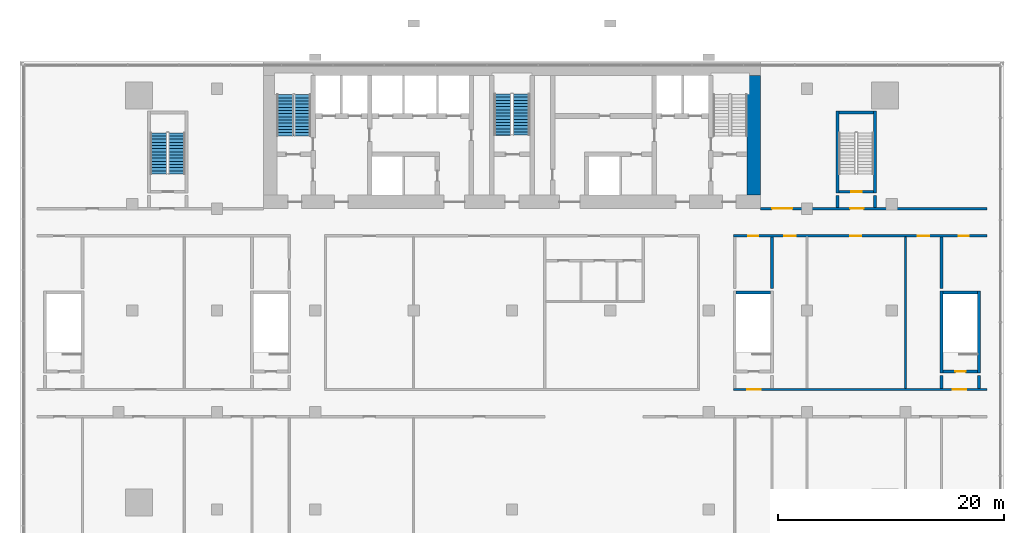
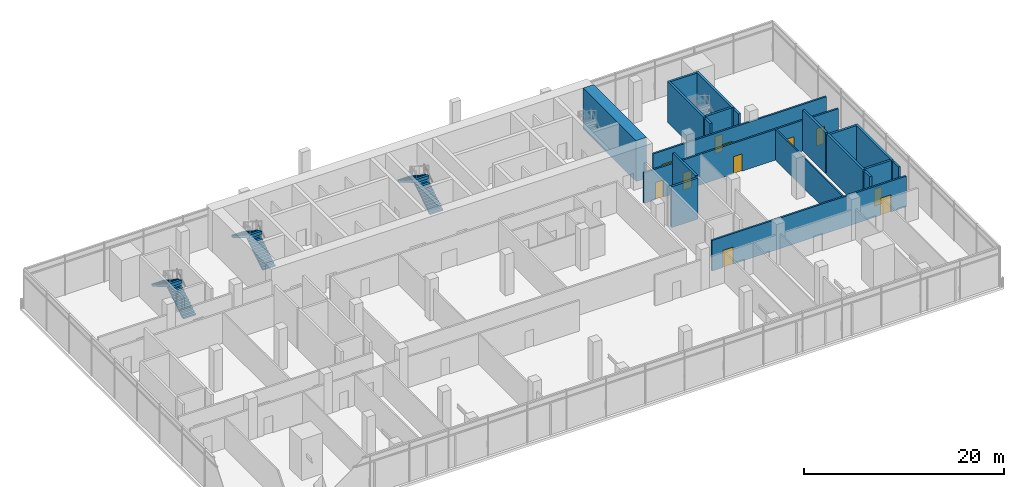
# One storey, part 14 of 17: 20 walls, 11 doors, 6 stair flights, 11 openings, 3 elements without a shape of their own.
"""IFC4 building model written with IfcOpenShell, lengths in metres."""

from ifc_helpers import new_model, si_unit, direction, frame, frame_2d, origin, place, context, subcontext, project, spatial, polyline, rectangle, outline, extrude, material, layer, layer_set, type_object, element, fill, aggregate, save


model = new_model("IFC4")

# Units and contexts
model_context = context("Model", 3, precision=1e-05, world=origin(), true_north=direction((0.0, 1.0)))
body_context = subcontext(model_context, "Body", "Model", "MODEL_VIEW")
ifc_project = project(units=[si_unit("LENGTHUNIT", "METRE"), si_unit("AREAUNIT", "SQUARE_METRE"), si_unit("VOLUMEUNIT", "CUBIC_METRE"), si_unit("PLANEANGLEUNIT", "RADIAN"), si_unit("MASSUNIT", "GRAM", prefix="KILO")], contexts=[model_context])

# Site, building, storey
site_placement = place(None, origin())
site = spatial("IfcSite", under=ifc_project, at=site_placement, CompositionType="ELEMENT")
building_placement = place(site_placement, origin())
building = spatial("IfcBuilding", under=site, at=building_placement, Name="Bicima Exchange Tower", CompositionType="ELEMENT")
storey_placement = place(building_placement, frame((0.0, 0.0, 30.0)))
storey = spatial("IfcBuildingStorey", under=building, at=storey_placement, Name="L05", CompositionType="ELEMENT", Elevation=30.0)

# Wall, openings, doors
ifc_material_1 = material(Name="Gypsum board partition")
ifc_layer_1 = layer(ifc_material_1, 0.199951171875)
ifc_layer_set_1 = layer_set([ifc_layer_1], Name="Gypsum board partition")
wall_type_1 = type_object("IfcWallType", Name="Fire-rated gypsum partition 200 EI60", PredefinedType="PARTITIONING", material=ifc_layer_set_1)
wall_1_placement = place(storey_placement, frame((19.574951171875, -29.0, 0.0), z_axis=(0.0, 0.0, 1.0), x_axis=(1.0, 0.0, 0.0)))
wall_1 = element("IfcWall", 1, at=wall_1_placement, inside=storey, type_object=wall_type_1, Name="partition wall 5", PredefinedType="PARTITIONING", context=body_context, shape_type="SweptSolid", body=[
    extrude(rectangle(XDim=22.425048828125, YDim=0.199951171875, at=frame_2d((11.21240234375, 0.0))), origin(), (0.0, 0.0, 1.0), 3.740234375),
])
opening_1_placement = place(wall_1_placement, frame((1.22509765625, 0.0, 0.0)))
opening_1 = element("IfcOpeningElement", 2, at=opening_1_placement, cuts=wall_1, Name="Opening L05-005", PredefinedType="OPENING", context=body_context, shape_type="SweptSolid", body=[
    extrude(rectangle(XDim=1.199951171875, YDim=2.10009765625, at=frame_2d((0.60009765625, 1.050048828125))), frame((0.0, 0.11181640625, 0.0), z_axis=(0.0, -1.0, 0.0), x_axis=(1.0, 0.0, 0.0)), (0.0, 0.0, 1.0), 0.223876953125),
])
opening_2_placement = place(wall_1_placement, frame((19.425048828125, 0.0, 0.0)))
opening_2 = element("IfcOpeningElement", 3, at=opening_2_placement, cuts=wall_1, Name="Opening L05-007", PredefinedType="OPENING", context=body_context, shape_type="SweptSolid", body=[
    extrude(rectangle(XDim=1.199951171875, YDim=2.10009765625, at=frame_2d((0.60009765625, 1.050048828125))), frame((0.0, 0.11181640625, 0.0), z_axis=(0.0, -1.0, 0.0), x_axis=(1.0, 0.0, 0.0)), (0.0, 0.0, 1.0), 0.223876953125),
])
ifc_material_2 = material(Name="Steel fire door leaf", Category="steel")
door_type_1 = type_object("IfcDoorType", Name="Door 1200 swing FD30S", OperationType="SINGLE_SWING_LEFT", PredefinedType="DOOR", material=ifc_material_2)
door_1_placement = place(opening_1_placement, origin())
door_1 = element("IfcDoor", 4, at=door_1_placement, inside=storey, type_object=door_type_1, Name="Door", OperationType="SINGLE_SWING_LEFT", OverallHeight=2.10009765625, OverallWidth=1.199951171875, PredefinedType="DOOR", context=body_context, shape_type="SweptSolid", body=[
    extrude(rectangle(XDim=1.199951171875, YDim=2.10009765625, at=frame_2d((0.60009765625, 1.050048828125))), frame((0.0, 0.02490234375, 0.0), z_axis=(0.0, -1.0, 0.0), x_axis=(1.0, 0.0, 0.0)), (0.0, 0.0, 1.0), 0.050048828125),
])
fill(opening_1, door_1)
door_2_placement = place(opening_2_placement, origin())
door_2 = element("IfcDoor", 5, at=door_2_placement, inside=storey, type_object=door_type_1, Name="Door", OperationType="SINGLE_SWING_LEFT", OverallHeight=2.10009765625, OverallWidth=1.199951171875, PredefinedType="DOOR", context=body_context, shape_type="SweptSolid", body=[
    extrude(rectangle(XDim=1.199951171875, YDim=2.10009765625, at=frame_2d((0.60009765625, 1.050048828125))), frame((0.0, 0.02490234375, 0.0), z_axis=(0.0, -1.0, 0.0), x_axis=(1.0, 0.0, 0.0)), (0.0, 0.0, 1.0), 0.050048828125),
])
fill(opening_2, door_2)

wall_2_placement = place(storey_placement, frame((19.574951171875, -15.39990234375, 0.0), z_axis=(0.0, 0.0, 1.0), x_axis=(1.0, 0.0, 0.0)))
wall_2 = element("IfcWall", 6, at=wall_2_placement, inside=storey, type_object=wall_type_1, Name="partition wall 18", PredefinedType="PARTITIONING", context=body_context, shape_type="SweptSolid", body=[
    extrude(rectangle(XDim=22.425048828125, YDim=0.199951171875, at=frame_2d((11.21240234375, 0.0))), origin(), (0.0, 0.0, 1.0), 3.740234375),
])
opening_3_placement = place(wall_2_placement, frame((1.324951171875, 0.0, 0.0)))
opening_3 = element("IfcOpeningElement", 7, at=opening_3_placement, cuts=wall_2, Name="Opening L05-033", PredefinedType="OPENING", context=body_context, shape_type="SweptSolid", body=[
    extrude(rectangle(XDim=0.89990234375, YDim=2.10009765625, at=frame_2d((0.449951171875, 1.050048828125))), frame((0.0, 0.11181640625, 0.0), z_axis=(0.0, -1.0, 0.0), x_axis=(1.0, 0.0, 0.0)), (0.0, 0.0, 1.0), 0.223876953125),
])
opening_4_placement = place(wall_2_placement, frame((4.52490234375, 0.0, 0.0)))
opening_4 = element("IfcOpeningElement", 8, at=opening_4_placement, cuts=wall_2, Name="Opening L05-035", PredefinedType="OPENING", context=body_context, shape_type="SweptSolid", body=[
    extrude(rectangle(XDim=1.0, YDim=2.10009765625, at=frame_2d((0.5, 1.050048828125))), frame((0.0, 0.11181640625, 0.0), z_axis=(0.0, -1.0, 0.0), x_axis=(1.0, 0.0, 0.0)), (0.0, 0.0, 1.0), 0.223876953125),
])
opening_5_placement = place(wall_2_placement, frame((10.324951171875, 0.0, 0.0)))
opening_5 = element("IfcOpeningElement", 9, at=opening_5_placement, cuts=wall_2, Name="Opening L05-037", PredefinedType="OPENING", context=body_context, shape_type="SweptSolid", body=[
    extrude(rectangle(XDim=1.0, YDim=2.10009765625, at=frame_2d((0.5, 1.050048828125))), frame((0.0, 0.11181640625, 0.0), z_axis=(0.0, -1.0, 0.0), x_axis=(1.0, 0.0, 0.0)), (0.0, 0.0, 1.0), 0.223876953125),
])
opening_6_placement = place(wall_2_placement, frame((16.324951171875, 0.0, 0.0)))
opening_6 = element("IfcOpeningElement", 10, at=opening_6_placement, cuts=wall_2, Name="Opening L05-039", PredefinedType="OPENING", context=body_context, shape_type="SweptSolid", body=[
    extrude(rectangle(XDim=1.0, YDim=2.10009765625, at=frame_2d((0.5, 1.050048828125))), frame((0.0, 0.11181640625, 0.0), z_axis=(0.0, -1.0, 0.0), x_axis=(1.0, 0.0, 0.0)), (0.0, 0.0, 1.0), 0.223876953125),
])
opening_7_placement = place(wall_2_placement, frame((19.925048828125, 0.0, 0.0)))
opening_7 = element("IfcOpeningElement", 11, at=opening_7_placement, cuts=wall_2, Name="Opening L05-041", PredefinedType="OPENING", context=body_context, shape_type="SweptSolid", body=[
    extrude(rectangle(XDim=0.89990234375, YDim=2.10009765625, at=frame_2d((0.449951171875, 1.050048828125))), frame((0.0, 0.11181640625, 0.0), z_axis=(0.0, -1.0, 0.0), x_axis=(1.0, 0.0, 0.0)), (0.0, 0.0, 1.0), 0.223876953125),
])
door_type_2 = type_object("IfcDoorType", Name="Door 1000 swing FD30S", OperationType="SINGLE_SWING_LEFT", PredefinedType="DOOR", material=ifc_material_2)
door_3_placement = place(opening_4_placement, frame((1.0, 0.0, 0.0), z_axis=(0.0, 0.0, 1.0), x_axis=(-1.0, 0.0, 0.0)))
door_3 = element("IfcDoor", 12, at=door_3_placement, inside=storey, type_object=door_type_2, Name="Door", OperationType="SINGLE_SWING_RIGHT", OverallHeight=2.10009765625, OverallWidth=1.0, PredefinedType="DOOR", context=body_context, shape_type="SweptSolid", body=[
    extrude(rectangle(XDim=1.0, YDim=2.10009765625, at=frame_2d((0.5, 1.050048828125))), frame((0.0, 0.02490234375, 0.0), z_axis=(0.0, -1.0, 0.0), x_axis=(1.0, 0.0, 0.0)), (0.0, 0.0, 1.0), 0.050048828125),
])
fill(opening_4, door_3)
door_4_placement = place(opening_5_placement, frame((1.0, 0.0, 0.0), z_axis=(0.0, 0.0, 1.0), x_axis=(-1.0, 0.0, 0.0)))
door_4 = element("IfcDoor", 13, at=door_4_placement, inside=storey, type_object=door_type_2, Name="Door", OperationType="SINGLE_SWING_LEFT", OverallHeight=2.10009765625, OverallWidth=1.0, PredefinedType="DOOR", context=body_context, shape_type="SweptSolid", body=[
    extrude(rectangle(XDim=1.0, YDim=2.10009765625, at=frame_2d((0.5, 1.050048828125))), frame((0.0, 0.02490234375, 0.0), z_axis=(0.0, -1.0, 0.0), x_axis=(1.0, 0.0, 0.0)), (0.0, 0.0, 1.0), 0.050048828125),
])
fill(opening_5, door_4)
door_5_placement = place(opening_6_placement, frame((1.0, 0.0, 0.0), z_axis=(0.0, 0.0, 1.0), x_axis=(-1.0, 0.0, 0.0)))
door_5 = element("IfcDoor", 14, at=door_5_placement, inside=storey, type_object=door_type_2, Name="Door", OperationType="SINGLE_SWING_RIGHT", OverallHeight=2.10009765625, OverallWidth=1.0, PredefinedType="DOOR", context=body_context, shape_type="SweptSolid", body=[
    extrude(rectangle(XDim=1.0, YDim=2.10009765625, at=frame_2d((0.5, 1.050048828125))), frame((0.0, 0.02490234375, 0.0), z_axis=(0.0, -1.0, 0.0), x_axis=(1.0, 0.0, 0.0)), (0.0, 0.0, 1.0), 0.050048828125),
])
fill(opening_6, door_5)
door_type_3 = type_object("IfcDoorType", Name="Door 900 swing FD30S", OperationType="SINGLE_SWING_LEFT", PredefinedType="DOOR", material=ifc_material_2)
door_6_placement = place(opening_3_placement, frame((0.89990234375, 0.0, 0.0), z_axis=(0.0, 0.0, 1.0), x_axis=(-1.0, 0.0, 0.0)))
door_6 = element("IfcDoor", 15, at=door_6_placement, inside=storey, type_object=door_type_3, Name="Door", OperationType="SINGLE_SWING_RIGHT", OverallHeight=2.10009765625, OverallWidth=0.89990234375, PredefinedType="DOOR", context=body_context, shape_type="SweptSolid", body=[
    extrude(rectangle(XDim=0.89990234375, YDim=2.10009765625, at=frame_2d((0.449951171875, 1.050048828125))), frame((0.0, 0.02490234375, 0.0), z_axis=(0.0, -1.0, 0.0), x_axis=(1.0, 0.0, 0.0)), (0.0, 0.0, 1.0), 0.050048828125),
])
fill(opening_3, door_6)
door_7_placement = place(opening_7_placement, frame((0.89990234375, 0.0, 0.0), z_axis=(0.0, 0.0, 1.0), x_axis=(-1.0, 0.0, 0.0)))
door_7 = element("IfcDoor", 16, at=door_7_placement, inside=storey, type_object=door_type_3, Name="Door", OperationType="SINGLE_SWING_RIGHT", OverallHeight=2.10009765625, OverallWidth=0.89990234375, PredefinedType="DOOR", context=body_context, shape_type="SweptSolid", body=[
    extrude(rectangle(XDim=0.89990234375, YDim=2.10009765625, at=frame_2d((0.449951171875, 1.050048828125))), frame((0.0, 0.02490234375, 0.0), z_axis=(0.0, -1.0, 0.0), x_axis=(1.0, 0.0, 0.0)), (0.0, 0.0, 1.0), 0.050048828125),
])
fill(opening_7, door_7)

wall_3_placement = place(storey_placement, frame((22.0, -13.0, 0.0), z_axis=(0.0, 0.0, 1.0), x_axis=(1.0, 0.0, 0.0)))
wall_3 = element("IfcWall", 17, at=wall_3_placement, inside=storey, type_object=wall_type_1, Name="partition wall 20", PredefinedType="PARTITIONING", context=body_context, shape_type="SweptSolid", body=[
    extrude(rectangle(XDim=20.0, YDim=0.199951171875, at=frame_2d((10.0, 0.0))), origin(), (0.0, 0.0, 1.0), 3.740234375),
])
opening_8_placement = place(wall_3_placement, frame((7.89990234375, 0.0, 0.0)))
opening_8 = element("IfcOpeningElement", 18, at=opening_8_placement, cuts=wall_3, Name="Opening L05-011", PredefinedType="OPENING", context=body_context, shape_type="SweptSolid", body=[
    extrude(rectangle(XDim=1.199951171875, YDim=2.10009765625, at=frame_2d((0.60009765625, 1.050048828125))), frame((0.0, 0.11181640625, 0.0), z_axis=(0.0, -1.0, 0.0), x_axis=(1.0, 0.0, 0.0)), (0.0, 0.0, 1.0), 0.223876953125),
])
opening_9_placement = place(wall_3_placement, frame((1.0, 0.0, 0.0)))
opening_9 = element("IfcOpeningElement", 19, at=opening_9_placement, cuts=wall_3, Name="Opening L05-014", PredefinedType="OPENING", context=body_context, shape_type="SweptSolid", body=[
    extrude(rectangle(XDim=1.800048828125, YDim=2.10009765625, at=frame_2d((0.89990234375, 1.050048828125))), frame((0.0, 0.11181640625, 0.0), z_axis=(0.0, -1.0, 0.0), x_axis=(1.0, 0.0, 0.0)), (0.0, 0.0, 1.0), 0.223876953125),
])
door_8_placement = place(opening_8_placement, origin())
door_8 = element("IfcDoor", 20, at=door_8_placement, inside=storey, type_object=door_type_1, Name="Door", OperationType="SINGLE_SWING_LEFT", OverallHeight=2.10009765625, OverallWidth=1.199951171875, PredefinedType="DOOR", context=body_context, shape_type="SweptSolid", body=[
    extrude(rectangle(XDim=1.199951171875, YDim=2.10009765625, at=frame_2d((0.60009765625, 1.050048828125))), frame((0.0, 0.02490234375, 0.0), z_axis=(0.0, -1.0, 0.0), x_axis=(1.0, 0.0, 0.0)), (0.0, 0.0, 1.0), 0.050048828125),
])
fill(opening_8, door_8)
door_type_4 = type_object("IfcDoorType", Name="Door 1800 double swing FD30S", OperationType="DOUBLE_DOOR_SINGLE_SWING", PredefinedType="DOOR", material=ifc_material_2)
door_9_placement = place(opening_9_placement, origin())
door_9 = element("IfcDoor", 21, at=door_9_placement, inside=storey, type_object=door_type_4, Name="Door", OperationType="SINGLE_SWING_LEFT", OverallHeight=2.10009765625, OverallWidth=1.800048828125, PredefinedType="DOOR", context=body_context, shape_type="SweptSolid", body=[
    extrude(rectangle(XDim=1.800048828125, YDim=2.10009765625, at=frame_2d((0.89990234375, 1.050048828125))), frame((0.0, 0.02490234375, 0.0), z_axis=(0.0, -1.0, 0.0), x_axis=(1.0, 0.0, 0.0)), (0.0, 0.0, 1.0), 0.050048828125),
])
fill(opening_9, door_9)

# Walls
ifc_layer_2 = layer(ifc_material_1, 0.14990234375)
ifc_layer_set_2 = layer_set([ifc_layer_2], Name="Gypsum board partition")
wall_type_2 = type_object("IfcWallType", Name="Gypsum partition 150", PredefinedType="PARTITIONING", material=ifc_layer_set_2)
wall_4_placement = place(storey_placement, frame((34.800048828125, -28.89990234375, 0.0), z_axis=(0.0, 0.0, 1.0), x_axis=(0.0, 1.0, 0.0)))
element("IfcWall", 22, at=wall_4_placement, inside=storey, type_object=wall_type_2, Name="partition wall 55", PredefinedType="PARTITIONING", context=body_context, shape_type="SweptSolid", body=[
    extrude(rectangle(XDim=13.39990234375, YDim=0.14990234375, at=frame_2d((6.699951171875, 0.0))), origin(), (0.0, 0.0, 1.0), 3.740234375),
])
ifc_material_3 = material(Name="Concrete C60/75", Category="concrete")
ifc_layer_3 = layer(ifc_material_3, 1.199951171875)
ifc_layer_set_3 = layer_set([ifc_layer_3], Name="Concrete C60/75")
wall_type_3 = type_object("IfcWallType", Name="RC core wall 1200 C60/75", PredefinedType="SHEAR", material=ifc_layer_set_3)
wall_5_placement = place(storey_placement, frame((21.39990234375, -11.800048828125, 0.0), z_axis=(0.0, 0.0, 1.0), x_axis=(0.0, 1.0, 0.0)))
element("IfcWall", 23, at=wall_5_placement, inside=storey, type_object=wall_type_3, Name="Core wall east", PredefinedType="SHEAR", context=body_context, shape_type="SweptSolid", body=[
    extrude(rectangle(XDim=10.60009765625, YDim=1.199951171875, at=frame_2d((5.300048828125, 0.0))), origin(), (0.0, 0.0, 1.0), 5.0),
])
ifc_material_4 = material(Name="Concrete C50/60", Category="concrete")
ifc_layer_4 = layer(ifc_material_4, 0.25)
ifc_layer_set_4 = layer_set([ifc_layer_4], Name="Concrete C50/60")
wall_type_4 = type_object("IfcWallType", Name="RC core wall 250 C50/60", PredefinedType="SHEAR", material=ifc_layer_set_4)
wall_6_placement = place(storey_placement, frame((23.0, -20.050048828125, 0.0), z_axis=(0.0, 0.0, 1.0), x_axis=(0.0, 1.0, 0.0)))
element("IfcWall", 24, at=wall_6_placement, inside=storey, type_object=wall_type_4, Name="stair wall 49", PredefinedType="SHEAR", context=body_context, shape_type="SweptSolid", body=[
    extrude(rectangle(XDim=4.550048828125, YDim=0.25, at=frame_2d((2.27490234375, 0.0))), origin(), (0.0, 0.0, 1.0), 5.0),
])
for number, where, z_axis, x_axis, name in (
    (25, (28.800048828125, -12.89990234375, 0.0), (0.0, 0.0, 1.0), (0.0, 1.0, 0.0), "stair wall 52"),
    (26, (32.10009765625, -12.89990234375, 0.0), (0.0, 0.0, 1.0), (0.0, 1.0, 0.0), "stair wall 53"),
):
    element("IfcWall", number, at=place(storey_placement, frame(where, z_axis=z_axis, x_axis=x_axis)), inside=storey, type_object=wall_type_4, Name=name, PredefinedType="SHEAR", context=body_context, shape_type="SweptSolid", body=[
        extrude(rectangle(XDim=1.0498046875, YDim=0.25, at=frame_2d((0.52490234375, 0.0))), origin(), (0.0, 0.0, 1.0), 5.0),
    ])
wall_7_placement = place(storey_placement, frame((38.0, -28.89990234375, 0.0), z_axis=(0.0, 0.0, 1.0), x_axis=(0.0, 1.0, 0.0)))
element("IfcWall", 27, at=wall_7_placement, inside=storey, type_object=wall_type_4, Name="stair wall 57", PredefinedType="SHEAR", context=body_context, shape_type="SweptSolid", body=[
    extrude(rectangle(XDim=1.14990234375, YDim=0.25, at=frame_2d((0.574951171875, 0.0))), origin(), (0.0, 0.0, 1.0), 5.0),
])
wall_8_placement = place(storey_placement, frame((38.0, -20.050048828125, 0.0), z_axis=(0.0, 0.0, 1.0), x_axis=(0.0, 1.0, 0.0)))
element("IfcWall", 28, at=wall_8_placement, inside=storey, type_object=wall_type_4, Name="stair wall 57", PredefinedType="SHEAR", context=body_context, shape_type="SweptSolid", body=[
    extrude(rectangle(XDim=4.550048828125, YDim=0.25, at=frame_2d((2.27490234375, 0.0))), origin(), (0.0, 0.0, 1.0), 5.0),
])
wall_9_placement = place(storey_placement, frame((41.300048828125, -28.89990234375, 0.0), z_axis=(0.0, 0.0, 1.0), x_axis=(0.0, 1.0, 0.0)))
element("IfcWall", 29, at=wall_9_placement, inside=storey, type_object=wall_type_4, Name="stair wall 58", PredefinedType="SHEAR", context=body_context, shape_type="SweptSolid", body=[
    extrude(rectangle(XDim=1.14990234375, YDim=0.25, at=frame_2d((0.574951171875, 0.0))), origin(), (0.0, 0.0, 1.0), 5.0),
])
ifc_layer_5 = layer(ifc_material_4, 0.25)
ifc_layer_set_5 = layer_set([ifc_layer_5], Name="Concrete C50/60")
wall_type_5 = type_object("IfcWallType", Name="RC stair enclosure wall 250 C50/60", PredefinedType="SHEAR", material=ifc_layer_set_5)
for number, where, z_axis, x_axis, name in (
    (30, (28.800048828125, -11.625, 0.0), (0.0, 0.0, 1.0), (0.0, 1.0, 0.0), "East end exit stair wall W"),
    (31, (32.10009765625, -11.625, 0.0), (0.0, 0.0, 1.0), (0.0, 1.0, 0.0), "East end exit stair wall E"),
):
    element("IfcWall", number, at=place(storey_placement, frame(where, z_axis=z_axis, x_axis=x_axis)), inside=storey, type_object=wall_type_5, Name=name, PredefinedType="SHEAR", context=body_context, shape_type="SweptSolid", body=[
        extrude(rectangle(XDim=7.25, YDim=0.25, at=frame_2d((3.625, 0.0))), origin(), (0.0, 0.0, 1.0), 5.0),
    ])

# Wall, opening, door
wall_10_placement = place(storey_placement, frame((28.925048828125, -11.5, 0.0), z_axis=(0.0, 0.0, 1.0), x_axis=(1.0, 0.0, 0.0)))
wall_10 = element("IfcWall", 32, at=wall_10_placement, inside=storey, type_object=wall_type_5, Name="East end exit stair wall S", PredefinedType="SHEAR", context=body_context, shape_type="SweptSolid", body=[
    extrude(rectangle(XDim=3.050048828125, YDim=0.25, at=frame_2d((1.52490234375, 0.0))), origin(), (0.0, 0.0, 1.0), 5.0),
])
opening_10_placement = place(wall_10_placement, frame((1.10009765625, 0.0, 0.0)))
opening_10 = element("IfcOpeningElement", 33, at=opening_10_placement, cuts=wall_10, Name="Opening L05-012", PredefinedType="OPENING", context=body_context, shape_type="SweptSolid", body=[
    extrude(rectangle(XDim=0.89990234375, YDim=2.10009765625, at=frame_2d((0.449951171875, 1.050048828125))), frame((0.0, 0.136962890625, 0.0), z_axis=(0.0, -1.0, 0.0), x_axis=(1.0, 0.0, 0.0)), (0.0, 0.0, 1.0), 0.27392578125),
])
door_type_5 = type_object("IfcDoorType", Name="Door 900 swing FD60S", OperationType="SINGLE_SWING_LEFT", PredefinedType="DOOR", material=ifc_material_2)
door_10_placement = place(opening_10_placement, origin())
door_10 = element("IfcDoor", 34, at=door_10_placement, inside=storey, type_object=door_type_5, Name="Door", OperationType="SINGLE_SWING_RIGHT", OverallHeight=2.10009765625, OverallWidth=0.89990234375, PredefinedType="DOOR", context=body_context, shape_type="SweptSolid", body=[
    extrude(rectangle(XDim=0.89990234375, YDim=2.10009765625, at=frame_2d((0.449951171875, 1.050048828125))), frame((0.0, 0.02490234375, 0.0), z_axis=(0.0, -1.0, 0.0), x_axis=(1.0, 0.0, 0.0)), (0.0, 0.0, 1.0), 0.050048828125),
])
fill(opening_10, door_10)

# Walls
for number, where, z_axis, x_axis, name in (
    (35, (28.925048828125, -4.5, 0.0), (0.0, 0.0, 1.0), (1.0, 0.0, 0.0), "East end exit stair wall N"),
    (36, (19.824951171875, -20.39990234375, 0.0), (0.0, 0.0, 1.0), (1.0, 0.0, 0.0), "Podium inner east stair wall N"),
):
    element("IfcWall", number, at=place(storey_placement, frame(where, z_axis=z_axis, x_axis=x_axis)), inside=storey, type_object=wall_type_5, Name=name, PredefinedType="SHEAR", context=body_context, shape_type="SweptSolid", body=[
        extrude(rectangle(XDim=3.050048828125, YDim=0.25, at=frame_2d((1.52490234375, 0.0))), origin(), (0.0, 0.0, 1.0), 5.0),
    ])
for number, where, z_axis, x_axis, name in (
    (37, (38.0, -27.52490234375, 0.0), (0.0, 0.0, 1.0), (0.0, 1.0, 0.0), "Podium east stair wall W"),
    (38, (41.300048828125, -27.52490234375, 0.0), (0.0, 0.0, 1.0), (0.0, 1.0, 0.0), "Podium east stair wall E"),
):
    element("IfcWall", number, at=place(storey_placement, frame(where, z_axis=z_axis, x_axis=x_axis)), inside=storey, type_object=wall_type_5, Name=name, PredefinedType="SHEAR", context=body_context, shape_type="SweptSolid", body=[
        extrude(rectangle(XDim=7.25, YDim=0.25, at=frame_2d((3.625, 0.0))), origin(), (0.0, 0.0, 1.0), 5.0),
    ])

# Wall, opening, door
wall_11_placement = place(storey_placement, frame((38.125, -27.39990234375, 0.0), z_axis=(0.0, 0.0, 1.0), x_axis=(1.0, 0.0, 0.0)))
wall_11 = element("IfcWall", 39, at=wall_11_placement, inside=storey, type_object=wall_type_5, Name="Podium east stair wall S", PredefinedType="SHEAR", context=body_context, shape_type="SweptSolid", body=[
    extrude(rectangle(XDim=3.050048828125, YDim=0.25, at=frame_2d((1.52490234375, 0.0))), origin(), (0.0, 0.0, 1.0), 5.0),
])
opening_11_placement = place(wall_11_placement, frame((1.10009765625, 0.0, 0.0)))
opening_11 = element("IfcOpeningElement", 40, at=opening_11_placement, cuts=wall_11, Name="Opening L05-008", PredefinedType="OPENING", context=body_context, shape_type="SweptSolid", body=[
    extrude(rectangle(XDim=0.89990234375, YDim=2.10009765625, at=frame_2d((0.449951171875, 1.050048828125))), frame((0.0, 0.136962890625, 0.0), z_axis=(0.0, -1.0, 0.0), x_axis=(1.0, 0.0, 0.0)), (0.0, 0.0, 1.0), 0.27392578125),
])
door_11_placement = place(opening_11_placement, origin())
door_11 = element("IfcDoor", 41, at=door_11_placement, inside=storey, type_object=door_type_5, Name="Door", OperationType="SINGLE_SWING_LEFT", OverallHeight=2.10009765625, OverallWidth=0.89990234375, PredefinedType="DOOR", context=body_context, shape_type="SweptSolid", body=[
    extrude(rectangle(XDim=0.89990234375, YDim=2.10009765625, at=frame_2d((0.449951171875, 1.050048828125))), frame((0.0, 0.02490234375, 0.0), z_axis=(0.0, -1.0, 0.0), x_axis=(1.0, 0.0, 0.0)), (0.0, 0.0, 1.0), 0.050048828125),
])
fill(opening_11, door_11)

# Wall
wall_12_placement = place(storey_placement, frame((38.125, -20.39990234375, 0.0), z_axis=(0.0, 0.0, 1.0), x_axis=(1.0, 0.0, 0.0)))
element("IfcWall", 42, at=wall_12_placement, inside=storey, type_object=wall_type_5, Name="Podium east stair wall N", PredefinedType="SHEAR", context=body_context, shape_type="SweptSolid", body=[
    extrude(rectangle(XDim=3.050048828125, YDim=0.25, at=frame_2d((1.52490234375, 0.0))), origin(), (0.0, 0.0, 1.0), 5.0),
])

# Stair, stair flights
stair_type_1 = type_object("IfcStairType", Name="Exit stair", PredefinedType="HALF_TURN_STAIR", material=ifc_material_4)
stair_1_placement = place(storey_placement, origin())
stair_1 = element("IfcStair", 43, at=stair_1_placement, inside=storey, type_object=stair_type_1, Name="L05 West exit stair", PredefinedType="HALF_TURN_STAIR")
stair_flight_type_1 = type_object("IfcStairFlightType", Name="Stair flight RC", PredefinedType="STRAIGHT", material=ifc_material_4)
stair_flight_1_placement = place(storey_placement, frame((-18.52490234375, -6.550048828125, 0.0), z_axis=(0.0, 0.0, 1.0), x_axis=(0.0, 1.0, 0.0)))
stair_flight_1 = element("IfcStairFlight", 44, at=stair_flight_1_placement, type_object=stair_flight_type_1, Name="ST-W flight 1", NumberOfRisers=14, NumberOfTreads=13, PredefinedType="STRAIGHT", RiserHeight=0.178571429, TreadLength=0.28, context=body_context, shape_type="SweptSolid", body=[
    extrude(outline(polyline([(0.0, 0.0), (0.0, 0.178466796875), (0.280029296875, 0.178466796875), (0.280029296875, 0.357177734375), (0.56005859375, 0.357177734375), (0.56005859375, 0.53564453125), (0.840087890625, 0.53564453125), (0.840087890625, 0.71435546875), (1.1201171875, 0.71435546875), (1.1201171875, 0.892822265625), (1.39990234375, 0.892822265625), (1.39990234375, 1.071533203125), (1.679931640625, 1.071533203125), (1.679931640625, 1.25), (1.9599609375, 1.25), (1.9599609375, 1.428466796875), (2.239990234375, 1.428466796875), (2.239990234375, 1.607177734375), (2.52001953125, 1.607177734375), (2.52001953125, 1.78564453125), (2.800048828125, 1.78564453125), (2.800048828125, 1.96435546875), (3.080078125, 1.96435546875), (3.080078125, 2.142822265625), (3.360107421875, 2.142822265625), (3.360107421875, 2.321533203125), (3.639892578125, 2.321533203125), (3.639892578125, 2.5), (3.639892578125, 2.1435546875), (0.27880859375, 0.0), (0.0, 0.0)])), frame((0.0, 0.72509765625, 0.0), z_axis=(0.0, -1.0, 0.0), x_axis=(1.0, 0.0, 0.0)), (0.0, 0.0, 1.0), 1.449951171875),
])
stair_flight_2_placement = place(storey_placement, frame((-20.074951171875, -2.909912109375, 2.5), z_axis=(0.0, 0.0, 1.0), x_axis=(0.0, -1.0, 0.0)))
stair_flight_2 = element("IfcStairFlight", 45, at=stair_flight_2_placement, type_object=stair_flight_type_1, Name="ST-W flight 2", NumberOfRisers=14, NumberOfTreads=13, PredefinedType="STRAIGHT", RiserHeight=0.178571429, TreadLength=0.28, context=body_context, shape_type="SweptSolid", body=[
    extrude(outline(polyline([(0.0, 0.0), (0.0, 0.178466796875), (0.280029296875, 0.178466796875), (0.280029296875, 0.357177734375), (0.56005859375, 0.357177734375), (0.56005859375, 0.53564453125), (0.840087890625, 0.53564453125), (0.840087890625, 0.71435546875), (1.1201171875, 0.71435546875), (1.1201171875, 0.892822265625), (1.39990234375, 0.892822265625), (1.39990234375, 1.071533203125), (1.679931640625, 1.071533203125), (1.679931640625, 1.25), (1.9599609375, 1.25), (1.9599609375, 1.428466796875), (2.239990234375, 1.428466796875), (2.239990234375, 1.607177734375), (2.52001953125, 1.607177734375), (2.52001953125, 1.78564453125), (2.800048828125, 1.78564453125), (2.800048828125, 1.96435546875), (3.080078125, 1.96435546875), (3.080078125, 2.142822265625), (3.360107421875, 2.142822265625), (3.360107421875, 2.321533203125), (3.639892578125, 2.321533203125), (3.639892578125, 2.35400390625), (3.655029296875, 2.35400390625), (3.655029296875, 1.974609375), (0.27880859375, 0.0), (0.0, 0.0)])), frame((0.0, 0.72509765625, 0.0), z_axis=(0.0, -1.0, 0.0), x_axis=(1.0, 0.0, 0.0)), (0.0, 0.0, 1.0), 1.449951171875),
])
aggregate(stair_1, [stair_flight_1, stair_flight_2])

stair_2_placement = place(storey_placement, origin())
stair_2 = element("IfcStair", 46, at=stair_2_placement, inside=storey, type_object=stair_type_1, Name="L05 West end exit stair", PredefinedType="HALF_TURN_STAIR")
stair_flight_3_placement = place(storey_placement, frame((-29.64990234375, -9.925048828125, 0.0), z_axis=(0.0, 0.0, 1.0), x_axis=(0.0, 1.0, 0.0)))
stair_flight_3 = element("IfcStairFlight", 47, at=stair_flight_3_placement, type_object=stair_flight_type_1, Name="ST-WW flight 1", NumberOfRisers=14, NumberOfTreads=13, PredefinedType="STRAIGHT", RiserHeight=0.178571429, TreadLength=0.28, context=body_context, shape_type="SweptSolid", body=[
    extrude(outline(polyline([(0.0, 0.0), (0.0, 0.178466796875), (0.280029296875, 0.178466796875), (0.280029296875, 0.357177734375), (0.56005859375, 0.357177734375), (0.56005859375, 0.53564453125), (0.840087890625, 0.53564453125), (0.840087890625, 0.71435546875), (1.1201171875, 0.71435546875), (1.1201171875, 0.892822265625), (1.39990234375, 0.892822265625), (1.39990234375, 1.071533203125), (1.679931640625, 1.071533203125), (1.679931640625, 1.25), (1.9599609375, 1.25), (1.9599609375, 1.428466796875), (2.239990234375, 1.428466796875), (2.239990234375, 1.607177734375), (2.52001953125, 1.607177734375), (2.52001953125, 1.78564453125), (2.800048828125, 1.78564453125), (2.800048828125, 1.96435546875), (3.080078125, 1.96435546875), (3.080078125, 2.142822265625), (3.360107421875, 2.142822265625), (3.360107421875, 2.321533203125), (3.639892578125, 2.321533203125), (3.639892578125, 2.5), (3.639892578125, 2.1435546875), (0.27880859375, 0.0), (0.0, 0.0)])), frame((0.0, 0.72509765625, 0.0), z_axis=(0.0, -1.0, 0.0), x_axis=(1.0, 0.0, 0.0)), (0.0, 0.0, 1.0), 1.449951171875),
])
stair_flight_4_placement = place(storey_placement, frame((-31.25, -6.284912109375, 2.5), z_axis=(0.0, 0.0, 1.0), x_axis=(0.0, -1.0, 0.0)))
stair_flight_4 = element("IfcStairFlight", 48, at=stair_flight_4_placement, type_object=stair_flight_type_1, Name="ST-WW flight 2", NumberOfRisers=14, NumberOfTreads=13, PredefinedType="STRAIGHT", RiserHeight=0.178571429, TreadLength=0.28, context=body_context, shape_type="SweptSolid", body=[
    extrude(outline(polyline([(0.0, 0.0), (0.0, 0.178466796875), (0.280029296875, 0.178466796875), (0.280029296875, 0.357177734375), (0.56005859375, 0.357177734375), (0.56005859375, 0.53564453125), (0.840087890625, 0.53564453125), (0.840087890625, 0.71435546875), (1.1201171875, 0.71435546875), (1.1201171875, 0.892822265625), (1.39990234375, 0.892822265625), (1.39990234375, 1.071533203125), (1.679931640625, 1.071533203125), (1.679931640625, 1.25), (1.9599609375, 1.25), (1.9599609375, 1.428466796875), (2.239990234375, 1.428466796875), (2.239990234375, 1.607177734375), (2.52001953125, 1.607177734375), (2.52001953125, 1.78564453125), (2.800048828125, 1.78564453125), (2.800048828125, 1.96435546875), (3.080078125, 1.96435546875), (3.080078125, 2.142822265625), (3.360107421875, 2.142822265625), (3.360107421875, 2.321533203125), (3.639892578125, 2.321533203125), (3.639892578125, 2.35400390625), (3.655029296875, 2.35400390625), (3.655029296875, 1.974609375), (0.27880859375, 0.0), (0.0, 0.0)])), frame((0.0, 0.72509765625, 0.0), z_axis=(0.0, -1.0, 0.0), x_axis=(1.0, 0.0, 0.0)), (0.0, 0.0, 1.0), 1.449951171875),
])
aggregate(stair_2, [stair_flight_3, stair_flight_4])

stair_type_2 = type_object("IfcStairType", Name="Exit stair 1500", PredefinedType="HALF_TURN_STAIR", material=ifc_material_4)
stair_3_placement = place(storey_placement, origin())
stair_3 = element("IfcStair", 49, at=stair_3_placement, inside=storey, type_object=stair_type_2, Name="L05 Central exit stair", PredefinedType="HALF_TURN_STAIR")
stair_flight_type_2 = type_object("IfcStairFlightType", Name="Stair flight RC 1500", PredefinedType="STRAIGHT", material=ifc_material_4)
stair_flight_5_placement = place(storey_placement, frame((0.824951171875, -6.5, 0.0), z_axis=(0.0, 0.0, 1.0), x_axis=(0.0, 1.0, 0.0)))
stair_flight_5 = element("IfcStairFlight", 50, at=stair_flight_5_placement, type_object=stair_flight_type_2, Name="ST-C flight 1", NumberOfRisers=14, NumberOfTreads=13, PredefinedType="STRAIGHT", RiserHeight=0.178571429, TreadLength=0.28, context=body_context, shape_type="SweptSolid", body=[
    extrude(outline(polyline([(0.0, 0.0), (0.0, 0.178466796875), (0.280029296875, 0.178466796875), (0.280029296875, 0.357177734375), (0.56005859375, 0.357177734375), (0.56005859375, 0.53564453125), (0.840087890625, 0.53564453125), (0.840087890625, 0.71435546875), (1.1201171875, 0.71435546875), (1.1201171875, 0.892822265625), (1.39990234375, 0.892822265625), (1.39990234375, 1.071533203125), (1.679931640625, 1.071533203125), (1.679931640625, 1.25), (1.9599609375, 1.25), (1.9599609375, 1.428466796875), (2.239990234375, 1.428466796875), (2.239990234375, 1.607177734375), (2.52001953125, 1.607177734375), (2.52001953125, 1.78564453125), (2.800048828125, 1.78564453125), (2.800048828125, 1.96435546875), (3.080078125, 1.96435546875), (3.080078125, 2.142822265625), (3.360107421875, 2.142822265625), (3.360107421875, 2.321533203125), (3.639892578125, 2.321533203125), (3.639892578125, 2.5), (3.639892578125, 2.1435546875), (0.27880859375, 0.0), (0.0, 0.0)])), frame((0.0, 0.75, 0.0), z_axis=(0.0, -1.0, 0.0), x_axis=(1.0, 0.0, 0.0)), (0.0, 0.0, 1.0), 1.5),
])
stair_flight_6_placement = place(storey_placement, frame((-0.824951171875, -2.860107421875, 2.5), z_axis=(0.0, 0.0, 1.0), x_axis=(0.0, -1.0, 0.0)))
stair_flight_6 = element("IfcStairFlight", 51, at=stair_flight_6_placement, type_object=stair_flight_type_2, Name="ST-C flight 2", NumberOfRisers=14, NumberOfTreads=13, PredefinedType="STRAIGHT", RiserHeight=0.178571429, TreadLength=0.28, context=body_context, shape_type="SweptSolid", body=[
    extrude(outline(polyline([(0.0, 0.0), (0.0, 0.178466796875), (0.280029296875, 0.178466796875), (0.280029296875, 0.357177734375), (0.56005859375, 0.357177734375), (0.56005859375, 0.53564453125), (0.840087890625, 0.53564453125), (0.840087890625, 0.71435546875), (1.1201171875, 0.71435546875), (1.1201171875, 0.892822265625), (1.39990234375, 0.892822265625), (1.39990234375, 1.071533203125), (1.679931640625, 1.071533203125), (1.679931640625, 1.25), (1.9599609375, 1.25), (1.9599609375, 1.428466796875), (2.239990234375, 1.428466796875), (2.239990234375, 1.607177734375), (2.52001953125, 1.607177734375), (2.52001953125, 1.78564453125), (2.800048828125, 1.78564453125), (2.800048828125, 1.96435546875), (3.080078125, 1.96435546875), (3.080078125, 2.142822265625), (3.360107421875, 2.142822265625), (3.360107421875, 2.321533203125), (3.639892578125, 2.321533203125), (3.639892578125, 2.35400390625), (3.655029296875, 2.35400390625), (3.655029296875, 1.974609375), (0.27880859375, 0.0), (0.0, 0.0)])), frame((0.0, 0.75, 0.0), z_axis=(0.0, -1.0, 0.0), x_axis=(1.0, 0.0, 0.0)), (0.0, 0.0, 1.0), 1.5),
])
aggregate(stair_3, [stair_flight_5, stair_flight_6])

save(model, "model.ifc")
